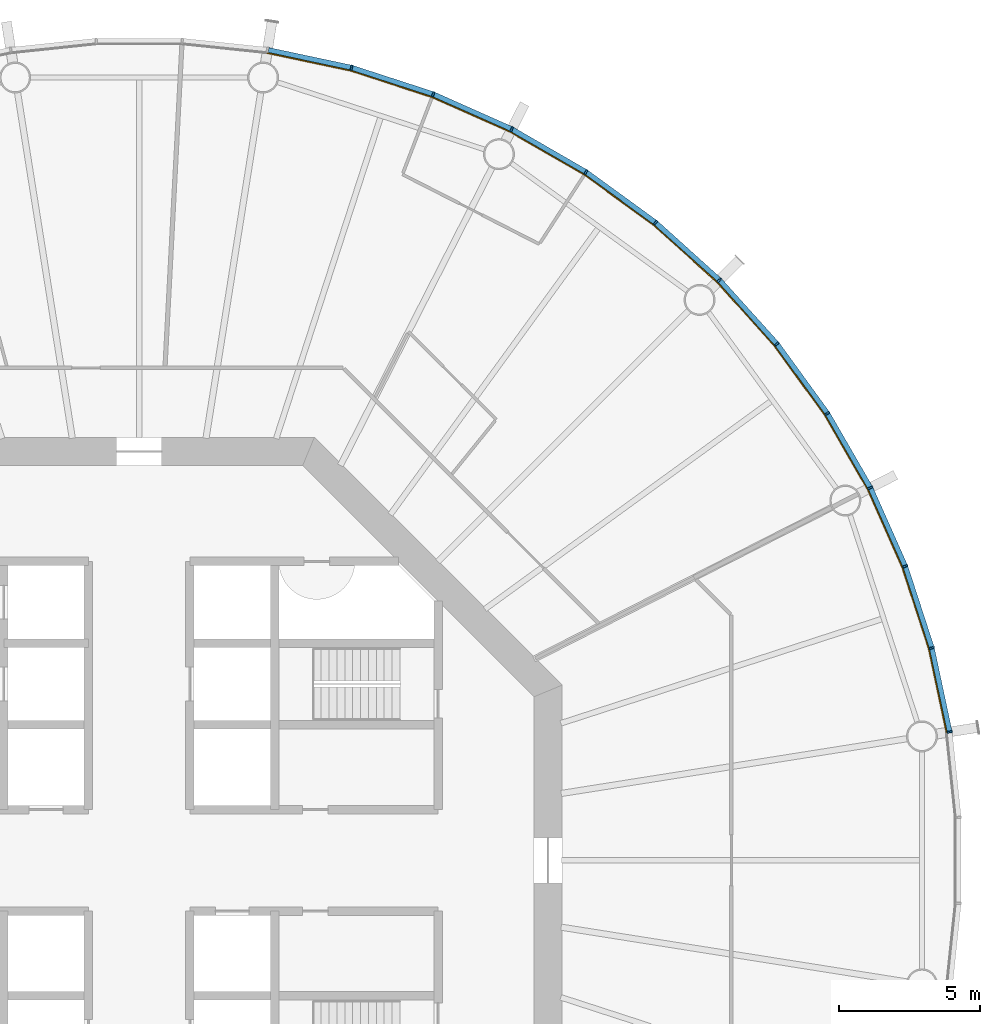
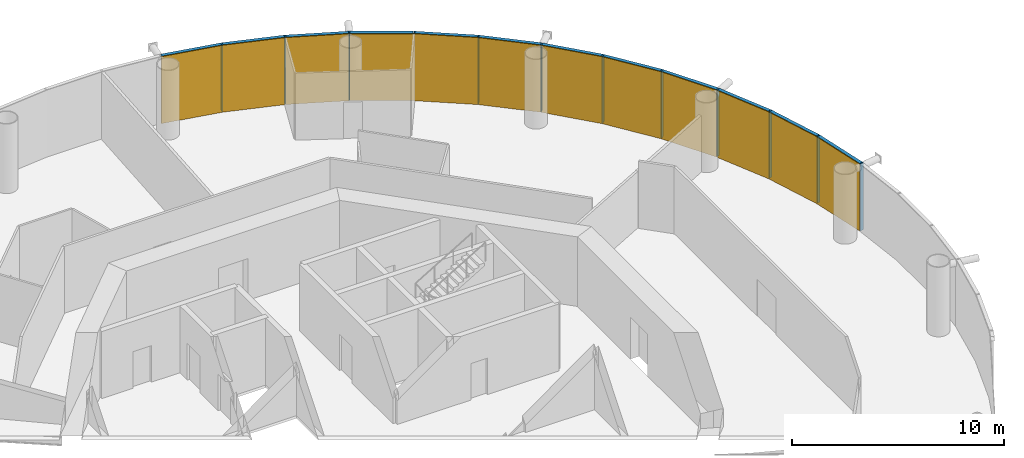
# One storey, part 16 of 17: 24 members, 4 curtain walls.
"""IFC4 building model written with IfcOpenShell, lengths in metres."""

from ifc_helpers import new_model, si_unit, direction, frame, origin, origin_2d, place, context, subcontext, project, spatial, polyline, rectangle, outline, extrude, material, layer, layer_set, material_profile, profile_set, type_object, element, aggregate, save


model = new_model("IFC4")

# Units and contexts
model_context = context("Model", 3, precision=1e-05, world=origin(), true_north=direction((0.0, 1.0)))
body_context = subcontext(model_context, "Body", "Model", "MODEL_VIEW")
ifc_project = project(units=[si_unit("LENGTHUNIT", "METRE"), si_unit("AREAUNIT", "SQUARE_METRE"), si_unit("VOLUMEUNIT", "CUBIC_METRE"), si_unit("PLANEANGLEUNIT", "RADIAN"), si_unit("MASSUNIT", "GRAM", prefix="KILO")], contexts=[model_context])

# Member
ifc_material_1 = material(Name="Anodised aluminium", Category="aluminium")
ifc_material_profile_1 = material_profile(ifc_material_1, rectangle(XDim=0.06494140625, YDim=0.18505859375, at=origin_2d()), Name="Mullion 65 x 185 mm anodised aluminium")
ifc_profile_set_1 = profile_set([ifc_material_profile_1], Name="Anodised aluminium")
member_type_1 = type_object("IfcMemberType", Name="Mullion 65 x 185 mm anodised aluminium", PredefinedType="MULLION", material=ifc_profile_set_1)
site_placement = place(None, origin())
building_placement = place(site_placement, origin())
storey_placement = place(building_placement, frame((0.0, 0.0, 160.0)))
member_1_placement = place(storey_placement, frame((118.734375, 84.551025390625, 0.0), z_axis=(0.0, 0.0, 1.0), x_axis=(-0.15643446504, 0.987688340595, 0.0)))
member_1 = element("IfcMember", 1, at=member_1_placement, type_object=member_type_1, Name="MULLION L36-00", PredefinedType="MULLION", context=body_context, shape_type="SweptSolid", body=[
    extrude(rectangle(XDim=0.06494140625, YDim=0.18505859375, at=origin_2d()), origin(), (0.0, 0.0, 1.0), 3.85009765625),
])

member_2_placement = place(storey_placement, frame((118.101318359375, 87.52978515625, 0.0), z_axis=(0.0, 0.0, 1.0), x_axis=(-0.258819045103, 0.965925826289, 0.0)))
member_2 = element("IfcMember", 2, at=member_2_placement, type_object=member_type_1, Name="MULLION L36-01", PredefinedType="MULLION", context=body_context, shape_type="SweptSolid", body=[
    extrude(rectangle(XDim=0.06494140625, YDim=0.18505859375, at=origin_2d()), origin(), (0.0, 0.0, 1.0), 3.85009765625),
])

member_3_placement = place(storey_placement, frame((117.16015625, 90.42578125, 0.0), z_axis=(0.0, 0.0, 1.0), x_axis=(-0.358367949545, 0.933580426497, 0.0)))
member_3 = element("IfcMember", 3, at=member_3_placement, type_object=member_type_1, Name="MULLION L36-02", PredefinedType="MULLION", context=body_context, shape_type="SweptSolid", body=[
    extrude(rectangle(XDim=0.06494140625, YDim=0.18505859375, at=origin_2d()), origin(), (0.0, 0.0, 1.0), 3.85009765625),
])

member_4_placement = place(storey_placement, frame((115.921630859375, 93.207763671875, 0.0), z_axis=(0.0, 0.0, 1.0), x_axis=(-0.45399049974, 0.891006524188, 0.0)))
member_4 = element("IfcMember", 4, at=member_4_placement, type_object=member_type_1, Name="MULLION L36-03", PredefinedType="MULLION", context=body_context, shape_type="SweptSolid", body=[
    extrude(rectangle(XDim=0.06494140625, YDim=0.18505859375, at=origin_2d()), origin(), (0.0, 0.0, 1.0), 3.85009765625),
])

member_5_placement = place(storey_placement, frame((114.39892578125, 95.844970703125, 0.0), z_axis=(0.0, 0.0, 1.0), x_axis=(-0.544639035015, 0.838670567945, 0.0)))
member_5 = element("IfcMember", 5, at=member_5_placement, type_object=member_type_1, Name="MULLION L36-04", PredefinedType="MULLION", context=body_context, shape_type="SweptSolid", body=[
    extrude(rectangle(XDim=0.06494140625, YDim=0.18505859375, at=origin_2d()), origin(), (0.0, 0.0, 1.0), 3.85009765625),
])

member_6_placement = place(storey_placement, frame((112.609130859375, 98.30859375, 0.0), z_axis=(0.0, 0.0, 1.0), x_axis=(-0.62932039105, 0.777145961457, 0.0)))
member_6 = element("IfcMember", 6, at=member_6_placement, type_object=member_type_1, Name="MULLION L36-05", PredefinedType="MULLION", context=body_context, shape_type="SweptSolid", body=[
    extrude(rectangle(XDim=0.06494140625, YDim=0.18505859375, at=origin_2d()), origin(), (0.0, 0.0, 1.0), 3.85009765625),
])

member_7_placement = place(storey_placement, frame((110.571533203125, 100.571533203125, 0.0), z_axis=(0.0, 0.0, 1.0), x_axis=(-0.707106781187, 0.707106781187, 0.0)))
member_7 = element("IfcMember", 7, at=member_7_placement, type_object=member_type_1, Name="MULLION L36-06", PredefinedType="MULLION", context=body_context, shape_type="SweptSolid", body=[
    extrude(rectangle(XDim=0.06494140625, YDim=0.18505859375, at=origin_2d()), origin(), (0.0, 0.0, 1.0), 3.85009765625),
])

member_8_placement = place(storey_placement, frame((108.30859375, 102.609130859375, 0.0), z_axis=(0.0, 0.0, 1.0), x_axis=(-0.777145961457, 0.62932039105, 0.0)))
member_8 = element("IfcMember", 8, at=member_8_placement, type_object=member_type_1, Name="MULLION L36-07", PredefinedType="MULLION", context=body_context, shape_type="SweptSolid", body=[
    extrude(rectangle(XDim=0.06494140625, YDim=0.18505859375, at=origin_2d()), origin(), (0.0, 0.0, 1.0), 3.85009765625),
])

member_9_placement = place(storey_placement, frame((105.844970703125, 104.39892578125, 0.0), z_axis=(0.0, 0.0, 1.0), x_axis=(-0.838670567945, 0.544639035015, 0.0)))
member_9 = element("IfcMember", 9, at=member_9_placement, type_object=member_type_1, Name="MULLION L36-08", PredefinedType="MULLION", context=body_context, shape_type="SweptSolid", body=[
    extrude(rectangle(XDim=0.06494140625, YDim=0.18505859375, at=origin_2d()), origin(), (0.0, 0.0, 1.0), 3.85009765625),
])

member_10_placement = place(storey_placement, frame((103.207763671875, 105.921630859375, 0.0), z_axis=(0.0, 0.0, 1.0), x_axis=(-0.891006524188, 0.45399049974, 0.0)))
member_10 = element("IfcMember", 10, at=member_10_placement, type_object=member_type_1, Name="MULLION L36-09", PredefinedType="MULLION", context=body_context, shape_type="SweptSolid", body=[
    extrude(rectangle(XDim=0.06494140625, YDim=0.18505859375, at=origin_2d()), origin(), (0.0, 0.0, 1.0), 3.85009765625),
])

member_11_placement = place(storey_placement, frame((100.42578125, 107.16015625, 0.0), z_axis=(0.0, 0.0, 1.0), x_axis=(-0.933580426497, 0.358367949545, 0.0)))
member_11 = element("IfcMember", 11, at=member_11_placement, type_object=member_type_1, Name="MULLION L36-10", PredefinedType="MULLION", context=body_context, shape_type="SweptSolid", body=[
    extrude(rectangle(XDim=0.06494140625, YDim=0.18505859375, at=origin_2d()), origin(), (0.0, 0.0, 1.0), 3.85009765625),
])

member_12_placement = place(storey_placement, frame((97.52978515625, 108.101318359375, 0.0), z_axis=(0.0, 0.0, 1.0), x_axis=(-0.965925826289, 0.258819045103, 0.0)))
member_12 = element("IfcMember", 12, at=member_12_placement, type_object=member_type_1, Name="MULLION L36-11", PredefinedType="MULLION", context=body_context, shape_type="SweptSolid", body=[
    extrude(rectangle(XDim=0.06494140625, YDim=0.18505859375, at=origin_2d()), origin(), (0.0, 0.0, 1.0), 3.85009765625),
])

ifc_material_2 = material(Name="Anodised aluminium", Category="aluminium")
ifc_material_profile_2 = material_profile(ifc_material_2, rectangle(XDim=0.18505859375, YDim=0.175048828125, at=origin_2d()), Name="Transom 175 x 185 mm anodised aluminium")
ifc_profile_set_2 = profile_set([ifc_material_profile_2], Name="Anodised aluminium")
member_type_2 = type_object("IfcMemberType", Name="Transom 175 x 185 mm anodised aluminium", PredefinedType="USERDEFINED", material=ifc_profile_set_2)
member_13_placement = place(storey_placement, frame((118.7265625, 84.587646484375, 3.762451171875), z_axis=(-0.207861704825, 0.97815822425, 0.0), x_axis=(-0.97815822425, -0.207861704825, 0.0)))
member_13 = element("IfcMember", 13, at=member_13_placement, type_object=member_type_2, Name="TRANSOM L36-00", ObjectType="TRANSOM", PredefinedType="USERDEFINED", context=body_context, shape_type="SweptSolid", body=[
    extrude(rectangle(XDim=0.18505859375, YDim=0.175048828125, at=origin_2d()), origin(), (0.0, 0.0, 1.0), 2.970458984375),
])

member_14_placement = place(storey_placement, frame((118.08984375, 87.565185546875, 3.762451171875), z_axis=(-0.30901917063, 0.951055809184, 0.0), x_axis=(-0.951055809184, -0.30901917063, 0.0)))
member_14 = element("IfcMember", 14, at=member_14_placement, type_object=member_type_2, Name="TRANSOM L36-01", ObjectType="TRANSOM", PredefinedType="USERDEFINED", context=body_context, shape_type="SweptSolid", body=[
    extrude(rectangle(XDim=0.18505859375, YDim=0.175048828125, at=origin_2d()), origin(), (0.0, 0.0, 1.0), 2.970703125),
])

member_15_placement = place(storey_placement, frame((117.14501953125, 90.4599609375, 3.762451171875), z_axis=(-0.406687471156, 0.913567348806, 0.0), x_axis=(-0.913567348806, -0.406687471156, 0.0)))
member_15 = element("IfcMember", 15, at=member_15_placement, type_object=member_type_2, Name="TRANSOM L36-02", ObjectType="TRANSOM", PredefinedType="USERDEFINED", context=body_context, shape_type="SweptSolid", body=[
    extrude(rectangle(XDim=0.18505859375, YDim=0.175048828125, at=origin_2d()), origin(), (0.0, 0.0, 1.0), 2.970458984375),
])

member_16_placement = place(storey_placement, frame((115.903076171875, 93.240234375, 3.762451171875), z_axis=(-0.500028367561, 0.866009025146, 0.0), x_axis=(-0.866009025146, -0.500028367561, 0.0)))
member_16 = element("IfcMember", 16, at=member_16_placement, type_object=member_type_2, Name="TRANSOM L36-03", ObjectType="TRANSOM", PredefinedType="USERDEFINED", context=body_context, shape_type="SweptSolid", body=[
    extrude(rectangle(XDim=0.18505859375, YDim=0.175048828125, at=origin_2d()), origin(), (0.0, 0.0, 1.0), 2.970458984375),
])

member_17_placement = place(storey_placement, frame((114.377197265625, 95.875244140625, 3.762451171875), z_axis=(-0.587819781808, 0.808991906087, 0.0), x_axis=(-0.808991906087, -0.587819781808, 0.0)))
member_17 = element("IfcMember", 17, at=member_17_placement, type_object=member_type_2, Name="TRANSOM L36-04", ObjectType="TRANSOM", PredefinedType="USERDEFINED", context=body_context, shape_type="SweptSolid", body=[
    extrude(rectangle(XDim=0.18505859375, YDim=0.175048828125, at=origin_2d()), origin(), (0.0, 0.0, 1.0), 2.970458984375),
])

member_18_placement = place(storey_placement, frame((112.584228515625, 98.33642578125, 3.762451171875), z_axis=(-0.669110027395, 0.743163354343, 0.0), x_axis=(-0.743163354343, -0.669110027395, 0.0)))
member_18 = element("IfcMember", 18, at=member_18_placement, type_object=member_type_2, Name="TRANSOM L36-05", ObjectType="TRANSOM", PredefinedType="USERDEFINED", context=body_context, shape_type="SweptSolid", body=[
    extrude(rectangle(XDim=0.18505859375, YDim=0.175048828125, at=origin_2d()), origin(), (0.0, 0.0, 1.0), 2.970458984375),
])

member_19_placement = place(storey_placement, frame((110.5439453125, 100.5966796875, 3.762451171875), z_axis=(-0.743163354343, 0.669110027395, 0.0), x_axis=(-0.669110027395, -0.743163354343, 0.0)))
member_19 = element("IfcMember", 19, at=member_19_placement, type_object=member_type_2, Name="TRANSOM L36-06", ObjectType="TRANSOM", PredefinedType="USERDEFINED", context=body_context, shape_type="SweptSolid", body=[
    extrude(rectangle(XDim=0.18505859375, YDim=0.175048828125, at=origin_2d()), origin(), (0.0, 0.0, 1.0), 2.970458984375),
])

member_20_placement = place(storey_placement, frame((108.2783203125, 102.631103515625, 3.762451171875), z_axis=(-0.808991906087, 0.587819781808, 0.0), x_axis=(-0.587819781808, -0.808991906087, 0.0)))
member_20 = element("IfcMember", 20, at=member_20_placement, type_object=member_type_2, Name="TRANSOM L36-07", ObjectType="TRANSOM", PredefinedType="USERDEFINED", context=body_context, shape_type="SweptSolid", body=[
    extrude(rectangle(XDim=0.18505859375, YDim=0.175048828125, at=origin_2d()), origin(), (0.0, 0.0, 1.0), 2.970458984375),
])

member_21_placement = place(storey_placement, frame((105.812744140625, 104.417724609375, 3.762451171875), z_axis=(-0.866009025146, 0.500028367561, 0.0), x_axis=(-0.500028367561, -0.866009025146, 0.0)))
member_21 = element("IfcMember", 21, at=member_21_placement, type_object=member_type_2, Name="TRANSOM L36-08", ObjectType="TRANSOM", PredefinedType="USERDEFINED", context=body_context, shape_type="SweptSolid", body=[
    extrude(rectangle(XDim=0.18505859375, YDim=0.175048828125, at=origin_2d()), origin(), (0.0, 0.0, 1.0), 2.970458984375),
])

member_22_placement = place(storey_placement, frame((103.173583984375, 105.93701171875, 3.762451171875), z_axis=(-0.913567348806, 0.406687471156, 0.0), x_axis=(-0.406687471156, -0.913567348806, 0.0)))
member_22 = element("IfcMember", 22, at=member_22_placement, type_object=member_type_2, Name="TRANSOM L36-09", ObjectType="TRANSOM", PredefinedType="USERDEFINED", context=body_context, shape_type="SweptSolid", body=[
    extrude(rectangle(XDim=0.18505859375, YDim=0.175048828125, at=origin_2d()), origin(), (0.0, 0.0, 1.0), 2.970458984375),
])

member_23_placement = place(storey_placement, frame((100.390380859375, 107.171875, 3.762451171875), z_axis=(-0.951055809184, 0.30901917063, 0.0), x_axis=(-0.30901917063, -0.951055809184, 0.0)))
member_23 = element("IfcMember", 23, at=member_23_placement, type_object=member_type_2, Name="TRANSOM L36-10", ObjectType="TRANSOM", PredefinedType="USERDEFINED", context=body_context, shape_type="SweptSolid", body=[
    extrude(rectangle(XDim=0.18505859375, YDim=0.175048828125, at=origin_2d()), origin(), (0.0, 0.0, 1.0), 2.970703125),
])

member_24_placement = place(storey_placement, frame((97.4931640625, 108.109130859375, 3.762451171875), z_axis=(-0.97815822425, 0.207861704825, 0.0), x_axis=(-0.207861704825, -0.97815822425, 0.0)))
member_24 = element("IfcMember", 24, at=member_24_placement, type_object=member_type_2, Name="TRANSOM L36-11", ObjectType="TRANSOM", PredefinedType="USERDEFINED", context=body_context, shape_type="SweptSolid", body=[
    extrude(rectangle(XDim=0.18505859375, YDim=0.175048828125, at=origin_2d()), origin(), (0.0, 0.0, 1.0), 2.970458984375),
])

# Site, building, storey
site = spatial("IfcSite", under=ifc_project, at=site_placement, CompositionType="ELEMENT")
building = spatial("IfcBuilding", under=site, at=building_placement, Name="Entoto Ring Tower", CompositionType="ELEMENT")
storey = spatial("IfcBuildingStorey", under=building, at=storey_placement, Name="L36", CompositionType="ELEMENT", Elevation=160.0)

# Curtain wall
ifc_material_3 = material(Name="Clear low-iron glass", Category="glass")
ifc_layer = layer(ifc_material_3, 0.033935546875)
ifc_layer_set = layer_set([ifc_layer], Name="Clear low-iron glass")
curtain_wall_type = type_object("IfcCurtainWallType", Name="Curtain wall system CW3 glazing 34 mm", PredefinedType="NOTDEFINED", material=ifc_layer_set)
curtain_wall_1_placement = place(storey_placement, origin())
curtain_wall_1 = element("IfcCurtainWall", 25, at=curtain_wall_1_placement, inside=storey, type_object=curtain_wall_type, Name="CW3 L36-01", PredefinedType="NOTDEFINED", context=body_context, shape_type="SweptSolid", body=[
    extrude(outline(polyline([(118.64306640625, 84.53662109375), (118.011962890625, 87.505859375), (117.07373046875, 90.392578125), (115.839111328125, 93.165771484375), (115.808837890625, 93.150146484375), (117.0419921875, 90.38037109375), (117.97900390625, 87.496826171875), (118.609375, 84.53125), (118.64306640625, 84.53662109375)])), origin(), (0.0, 0.0, 1.0), 3.85009765625),
])

aggregate(curtain_wall_1, [member_1, member_2, member_3, member_13, member_14, member_15])

curtain_wall_2_placement = place(storey_placement, origin())
curtain_wall_2 = element("IfcCurtainWall", 26, at=curtain_wall_2_placement, inside=storey, type_object=curtain_wall_type, Name="CW3 L36-02", PredefinedType="NOTDEFINED", context=body_context, shape_type="SweptSolid", body=[
    extrude(outline(polyline([(115.839111328125, 93.165771484375), (114.321533203125, 95.79443359375), (112.537353515625, 98.250244140625), (110.506103515625, 100.506103515625), (110.48193359375, 100.48193359375), (112.5107421875, 98.228759765625), (114.29296875, 95.77587890625), (115.808837890625, 93.150146484375), (115.839111328125, 93.165771484375)])), origin(), (0.0, 0.0, 1.0), 3.85009765625),
])

aggregate(curtain_wall_2, [member_4, member_5, member_6, member_16, member_17, member_18])

curtain_wall_3_placement = place(storey_placement, origin())
curtain_wall_3 = element("IfcCurtainWall", 27, at=curtain_wall_3_placement, inside=storey, type_object=curtain_wall_type, Name="CW3 L36-03", PredefinedType="NOTDEFINED", context=body_context, shape_type="SweptSolid", body=[
    extrude(outline(polyline([(110.506103515625, 100.506103515625), (108.250244140625, 102.537353515625), (105.79443359375, 104.321533203125), (103.165771484375, 105.839111328125), (103.150146484375, 105.808837890625), (105.77587890625, 104.29296875), (108.228759765625, 102.5107421875), (110.48193359375, 100.48193359375), (110.506103515625, 100.506103515625)])), origin(), (0.0, 0.0, 1.0), 3.85009765625),
])

aggregate(curtain_wall_3, [member_7, member_8, member_9, member_19, member_20, member_21])

curtain_wall_4_placement = place(storey_placement, origin())
curtain_wall_4 = element("IfcCurtainWall", 28, at=curtain_wall_4_placement, inside=storey, type_object=curtain_wall_type, Name="CW3 L36-04", PredefinedType="NOTDEFINED", context=body_context, shape_type="SweptSolid", body=[
    extrude(outline(polyline([(103.165771484375, 105.839111328125), (100.392578125, 107.07373046875), (97.505859375, 108.011962890625), (94.53662109375, 108.64306640625), (94.53125, 108.609375), (97.496826171875, 107.97900390625), (100.38037109375, 107.0419921875), (103.150146484375, 105.808837890625), (103.165771484375, 105.839111328125)])), origin(), (0.0, 0.0, 1.0), 3.85009765625),
])

aggregate(curtain_wall_4, [member_10, member_11, member_12, member_22, member_23, member_24])

save(model, "model.ifc")
